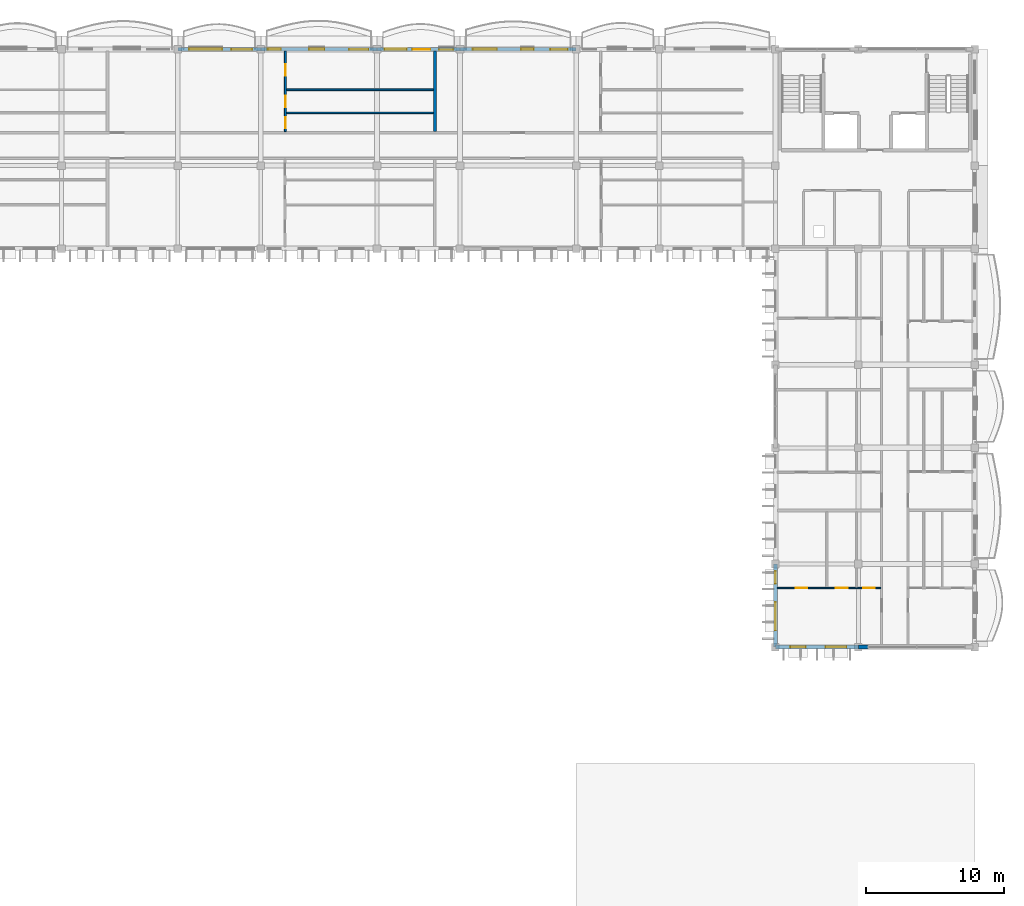
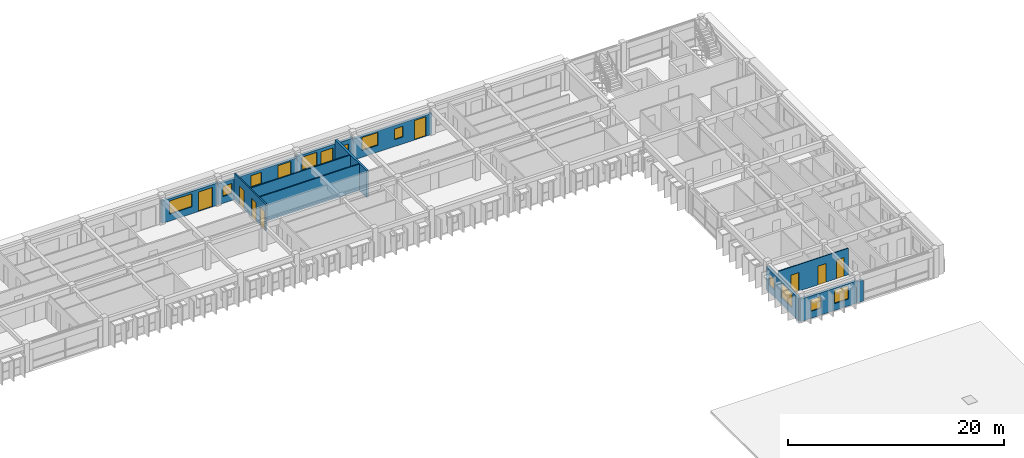
# One storey, part 32 of 54: 12 walls, 11 windows, 10 doors, 21 openings.
"""IFC4 building model written with IfcOpenShell, lengths in metres."""

from ifc_helpers import new_model, si_unit, direction, frame, frame_2d, origin, place, context, subcontext, project, spatial, rectangle, extrude, material, layer, layer_set, type_object, element, fill, save


model = new_model("IFC4")

# Units and contexts
model_context = context("Model", 3, precision=1e-05, world=origin(), true_north=direction((0.0, 1.0)))
body_context = subcontext(model_context, "Body", "Model", "MODEL_VIEW")
ifc_project = project(units=[si_unit("LENGTHUNIT", "METRE"), si_unit("AREAUNIT", "SQUARE_METRE"), si_unit("VOLUMEUNIT", "CUBIC_METRE"), si_unit("PLANEANGLEUNIT", "RADIAN"), si_unit("MASSUNIT", "GRAM", prefix="KILO"), si_unit("THERMODYNAMICTEMPERATUREUNIT", "KELVIN")], contexts=[model_context])

# Site, building, storey
site_placement = place(None, origin())
site = spatial("IfcSite", under=ifc_project, at=site_placement, CompositionType="ELEMENT")
building_placement = place(site_placement, origin())
building = spatial("IfcBuilding", under=site, at=building_placement, Name="Thalorik Housing Commons", CompositionType="ELEMENT")
storey_placement = place(building_placement, frame((0.0, 0.0, 31.199951171875)))
storey = spatial("IfcBuildingStorey", under=building, at=storey_placement, Name="L09", CompositionType="ELEMENT", Elevation=31.199951171875)

# Wall, openings, door, windows
ifc_material_1 = material(Name="White precast concrete C40/50", Category="concrete")
ifc_layer_1 = layer(ifc_material_1, 0.264892578125, Name="White precast concrete C40/50", Category="concrete")
ifc_layer_set_1 = layer_set([ifc_layer_1], Name="White precast concrete C40/50")
wall_type_1 = type_object("IfcWallType", Name="ARC-WAL-EXT-265", PredefinedType="STANDARD", material=ifc_layer_set_1)
wall_1_placement = place(storey_placement, frame((138.0, 123.60009765625, 0.0), z_axis=(0.0, 0.0, 1.0), x_axis=(-1.0, 0.0, 0.0)))
wall_1 = element("IfcWall", 1, at=wall_1_placement, inside=storey, type_object=wall_type_1, Name="L09 Exterior Wall WAL-EXT-L09-B-0713", PredefinedType="STANDARD", context=body_context, shape_type="SweptSolid", body=[
    extrude(rectangle(XDim=8.39990234375, YDim=0.264892578125, at=frame_2d((4.199951171875, 0.0))), origin(), (0.0, 0.0, 1.0), 2.375),
])
opening_1_placement = place(wall_1_placement, frame((0.6201171875, 0.0, 0.0)))
opening_1 = element("IfcOpeningElement", 2, at=opening_1_placement, cuts=wall_1, Name="Opening ED-0238", PredefinedType="OPENING", context=body_context, shape_type="SweptSolid", body=[
    extrude(rectangle(XDim=1.25, YDim=2.199951171875, at=frame_2d((0.625, 1.10009765625))), frame((0.0, 0.142578125, 0.0), z_axis=(0.0, -1.0, 0.0), x_axis=(1.0, 0.0, 0.0)), (0.0, 0.0, 1.0), 0.284912109375),
])
opening_2_placement = place(wall_1_placement, frame((3.077392578125, 0.0, 0.780029296875)))
opening_2 = element("IfcOpeningElement", 3, at=opening_2_placement, cuts=wall_1, Name="Opening W-01", PredefinedType="OPENING", context=body_context, shape_type="SweptSolid", body=[
    extrude(rectangle(XDim=0.89990234375, YDim=1.199951171875, at=frame_2d((0.449951171875, 0.60009765625))), frame((0.0, 0.142578125, 0.0), z_axis=(0.0, -1.0, 0.0), x_axis=(1.0, 0.0, 0.0)), (0.0, 0.0, 1.0), 0.284912109375),
])
opening_3_placement = place(wall_1_placement, frame((5.7275390625, 0.0, 0.780029296875)))
opening_3 = element("IfcOpeningElement", 4, at=opening_3_placement, cuts=wall_1, Name="Opening W-17", PredefinedType="OPENING", context=body_context, shape_type="SweptSolid", body=[
    extrude(rectangle(XDim=1.75, YDim=1.449951171875, at=frame_2d((0.875, 0.72509765625))), frame((0.0, 0.142578125, 0.0), z_axis=(0.0, -1.0, 0.0), x_axis=(1.0, 0.0, 0.0)), (0.0, 0.0, 1.0), 0.284912109375),
])
ifc_material_2 = material(Name="Anodised aluminium and laminated safety glass", Category="aluminium")
door_type_1 = type_object("IfcDoorType", Name="ARC-DR-BAL-1250", OperationType="NOTDEFINED", PredefinedType="DOOR", material=ifc_material_2)
door_1_placement = place(opening_1_placement, frame((1.25, 0.0, 0.0), z_axis=(0.0, 0.0, 1.0), x_axis=(-1.0, 0.0, 0.0)))
door_1 = element("IfcDoor", 5, at=door_1_placement, inside=storey, type_object=door_type_1, Name="L09 Block B Balcony Glazed Door", OperationType="SINGLE_SWING_LEFT", OverallHeight=2.199951171875, OverallWidth=1.25, PredefinedType="DOOR", context=body_context, shape_type="SweptSolid", body=[
    extrude(rectangle(XDim=1.25, YDim=2.199951171875, at=frame_2d((0.625, 1.10009765625))), frame((0.0, 0.02490234375, 0.0), z_axis=(0.0, -1.0, 0.0), x_axis=(1.0, 0.0, 0.0)), (0.0, 0.0, 1.0), 0.050048828125),
])
fill(opening_1, door_1)
ifc_material_3 = material(Name="Anodised aluminium and solar-control low-E glass", Category="aluminium")
window_type_1 = type_object("IfcWindowType", Name="ARC-WIN-01", PartitioningType="SINGLE_PANEL", PredefinedType="WINDOW", material=ifc_material_3)
window_1_placement = place(opening_2_placement, origin())
window_1 = element("IfcWindow", 6, at=window_1_placement, inside=storey, type_object=window_type_1, Name="L09 Facade Window 1309", OverallHeight=1.199951171875, OverallWidth=0.89990234375, PartitioningType="SINGLE_PANEL", PredefinedType="WINDOW", context=body_context, shape_type="SweptSolid", body=[
    extrude(rectangle(XDim=0.89990234375, YDim=1.199951171875, at=frame_2d((0.449951171875, 0.60009765625))), frame((0.0, 0.030029296875, 0.0), z_axis=(0.0, -1.0, 0.0), x_axis=(1.0, 0.0, 0.0)), (0.0, 0.0, 1.0), 0.06005859375),
])
fill(opening_2, window_1)
window_type_2 = type_object("IfcWindowType", Name="ARC-WIN-17", PartitioningType="DOUBLE_PANEL_VERTICAL", PredefinedType="WINDOW", material=ifc_material_3)
window_2_placement = place(opening_3_placement, origin())
window_2 = element("IfcWindow", 7, at=window_2_placement, inside=storey, type_object=window_type_2, Name="L09 Facade Window 1310", OverallHeight=1.449951171875, OverallWidth=1.75, PartitioningType="DOUBLE_PANEL_VERTICAL", PredefinedType="WINDOW", context=body_context, shape_type="SweptSolid", body=[
    extrude(rectangle(XDim=1.75, YDim=1.449951171875, at=frame_2d((0.875, 0.72509765625))), frame((0.0, 0.030029296875, 0.0), z_axis=(0.0, -1.0, 0.0), x_axis=(1.0, 0.0, 0.0)), (0.0, 0.0, 1.0), 0.06005859375),
])
fill(opening_3, window_2)

wall_2_placement = place(storey_placement, frame((129.60009765625, 123.60009765625, 0.0), z_axis=(0.0, 0.0, 1.0), x_axis=(-1.0, 0.0, 0.0)))
wall_2 = element("IfcWall", 8, at=wall_2_placement, inside=storey, type_object=wall_type_1, Name="L09 Exterior Wall WAL-EXT-L09-B-0714", PredefinedType="STANDARD", context=body_context, shape_type="SweptSolid", body=[
    extrude(rectangle(XDim=6.0, YDim=0.264892578125, at=frame_2d((3.0, 0.0))), origin(), (0.0, 0.0, 1.0), 2.525146484375),
])
opening_4_placement = place(wall_2_placement, frame((2.14990234375, 0.0, 0.0)))
opening_4 = element("IfcOpeningElement", 9, at=opening_4_placement, cuts=wall_2, Name="Opening ED-0239", PredefinedType="OPENING", context=body_context, shape_type="SweptSolid", body=[
    extrude(rectangle(XDim=1.300048828125, YDim=2.14990234375, at=frame_2d((0.64990234375, 1.074951171875))), frame((0.0, 0.142578125, 0.0), z_axis=(0.0, -1.0, 0.0), x_axis=(1.0, 0.0, 0.0)), (0.0, 0.0, 1.0), 0.284912109375),
])
opening_5_placement = place(wall_2_placement, frame((0.5048828125, 0.0, 0.780029296875)))
opening_5 = element("IfcOpeningElement", 10, at=opening_5_placement, cuts=wall_2, Name="Opening W-02", PredefinedType="OPENING", context=body_context, shape_type="SweptSolid", body=[
    extrude(rectangle(XDim=1.0, YDim=1.25, at=frame_2d((0.5, 0.625))), frame((0.0, 0.142578125, 0.0), z_axis=(0.0, -1.0, 0.0), x_axis=(1.0, 0.0, 0.0)), (0.0, 0.0, 1.0), 0.284912109375),
])
opening_6_placement = place(wall_2_placement, frame((3.864990234375, 0.0, 0.780029296875)))
opening_6 = element("IfcOpeningElement", 11, at=opening_6_placement, cuts=wall_2, Name="Opening W-53", PredefinedType="OPENING", context=body_context, shape_type="SweptSolid", body=[
    extrude(rectangle(XDim=1.580078125, YDim=1.47998046875, at=frame_2d((0.7900390625, 0.739990234375))), frame((0.0, 0.142578125, 0.0), z_axis=(0.0, -1.0, 0.0), x_axis=(1.0, 0.0, 0.0)), (0.0, 0.0, 1.0), 0.284912109375),
])
door_type_2 = type_object("IfcDoorType", Name="ARC-DR-BAL-1300", OperationType="NOTDEFINED", PredefinedType="DOOR", material=ifc_material_2)
door_2_placement = place(opening_4_placement, frame((1.300048828125, 0.0, 0.0), z_axis=(0.0, 0.0, 1.0), x_axis=(-1.0, 0.0, 0.0)))
door_2 = element("IfcDoor", 12, at=door_2_placement, inside=storey, type_object=door_type_2, Name="L09 Block B Balcony Glazed Door", OperationType="SINGLE_SWING_RIGHT", OverallHeight=2.14990234375, OverallWidth=1.300048828125, PredefinedType="DOOR", context=body_context, shape_type="SweptSolid", body=[
    extrude(rectangle(XDim=1.300048828125, YDim=2.14990234375, at=frame_2d((0.64990234375, 1.074951171875))), frame((0.0, 0.02490234375, 0.0), z_axis=(0.0, -1.0, 0.0), x_axis=(1.0, 0.0, 0.0)), (0.0, 0.0, 1.0), 0.050048828125),
])
fill(opening_4, door_2)
window_type_3 = type_object("IfcWindowType", Name="ARC-WIN-02", PartitioningType="SINGLE_PANEL", PredefinedType="WINDOW", material=ifc_material_3)
window_3_placement = place(opening_5_placement, origin())
window_3 = element("IfcWindow", 13, at=window_3_placement, inside=storey, type_object=window_type_3, Name="L09 Facade Window 1311", OverallHeight=1.25, OverallWidth=1.0, PartitioningType="SINGLE_PANEL", PredefinedType="WINDOW", context=body_context, shape_type="SweptSolid", body=[
    extrude(rectangle(XDim=1.0, YDim=1.25, at=frame_2d((0.5, 0.625))), frame((0.0, 0.030029296875, 0.0), z_axis=(0.0, -1.0, 0.0), x_axis=(1.0, 0.0, 0.0)), (0.0, 0.0, 1.0), 0.06005859375),
])
fill(opening_5, window_3)
window_type_4 = type_object("IfcWindowType", Name="ARC-WIN-53", PartitioningType="SINGLE_PANEL", PredefinedType="WINDOW", material=ifc_material_3)
window_4_placement = place(opening_6_placement, origin())
window_4 = element("IfcWindow", 14, at=window_4_placement, inside=storey, type_object=window_type_4, Name="L09 Facade Window 1312", OverallHeight=1.47998046875, OverallWidth=1.580078125, PartitioningType="SINGLE_PANEL", PredefinedType="WINDOW", context=body_context, shape_type="SweptSolid", body=[
    extrude(rectangle(XDim=1.580078125, YDim=1.47998046875, at=frame_2d((0.7900390625, 0.739990234375))), frame((0.0, 0.030029296875, 0.0), z_axis=(0.0, -1.0, 0.0), x_axis=(1.0, 0.0, 0.0)), (0.0, 0.0, 1.0), 0.06005859375),
])
fill(opening_6, window_4)

wall_3_placement = place(storey_placement, frame((123.60009765625, 123.60009765625, 0.0), z_axis=(0.0, 0.0, 1.0), x_axis=(-1.0, 0.0, 0.0)))
wall_3 = element("IfcWall", 15, at=wall_3_placement, inside=storey, type_object=wall_type_1, Name="L09 Exterior Wall WAL-EXT-L09-B-0715", PredefinedType="STANDARD", context=body_context, shape_type="SweptSolid", body=[
    extrude(rectangle(XDim=8.400146484375, YDim=0.264892578125, at=frame_2d((4.2001953125, 0.0))), origin(), (0.0, 0.0, 1.0), 2.375),
])
opening_7_placement = place(wall_3_placement, frame((0.6201171875, 0.0, 0.0)))
opening_7 = element("IfcOpeningElement", 16, at=opening_7_placement, cuts=wall_3, Name="Opening ED-0240", PredefinedType="OPENING", context=body_context, shape_type="SweptSolid", body=[
    extrude(rectangle(XDim=1.39990234375, YDim=2.199951171875, at=frame_2d((0.699951171875, 1.10009765625))), frame((0.0, 0.142578125, 0.0), z_axis=(0.0, -1.0, 0.0), x_axis=(1.0, 0.0, 0.0)), (0.0, 0.0, 1.0), 0.284912109375),
])
opening_8_placement = place(wall_3_placement, frame((3.796630859375, 0.0, 0.780029296875)))
opening_8 = element("IfcOpeningElement", 17, at=opening_8_placement, cuts=wall_3, Name="Opening W-03", PredefinedType="OPENING", context=body_context, shape_type="SweptSolid", body=[
    extrude(rectangle(XDim=1.10009765625, YDim=1.300048828125, at=frame_2d((0.550048828125, 0.64990234375))), frame((0.0, 0.142578125, 0.0), z_axis=(0.0, -1.0, 0.0), x_axis=(1.0, 0.0, 0.0)), (0.0, 0.0, 1.0), 0.284912109375),
])
opening_9_placement = place(wall_3_placement, frame((6.941650390625, 0.0, 0.780029296875)))
opening_9 = element("IfcOpeningElement", 18, at=opening_9_placement, cuts=wall_3, Name="Opening W-43", PredefinedType="OPENING", context=body_context, shape_type="SweptSolid", body=[
    extrude(rectangle(XDim=0.949951171875, YDim=1.14990234375, at=frame_2d((0.47509765625, 0.574951171875))), frame((0.0, 0.142578125, 0.0), z_axis=(0.0, -1.0, 0.0), x_axis=(1.0, 0.0, 0.0)), (0.0, 0.0, 1.0), 0.284912109375),
])
door_type_3 = type_object("IfcDoorType", Name="ARC-DR-BAL-1400", OperationType="NOTDEFINED", PredefinedType="DOOR", material=ifc_material_2)
door_3_placement = place(opening_7_placement, frame((1.39990234375, 0.0, 0.0), z_axis=(0.0, 0.0, 1.0), x_axis=(-1.0, 0.0, 0.0)))
door_3 = element("IfcDoor", 19, at=door_3_placement, inside=storey, type_object=door_type_3, Name="L09 Block B Balcony Glazed Door", OperationType="SLIDING_TO_LEFT", OverallHeight=2.199951171875, OverallWidth=1.39990234375, PredefinedType="DOOR", context=body_context, shape_type="SweptSolid", body=[
    extrude(rectangle(XDim=1.39990234375, YDim=2.199951171875, at=frame_2d((0.699951171875, 1.10009765625))), frame((0.0, 0.02490234375, 0.0), z_axis=(0.0, -1.0, 0.0), x_axis=(1.0, 0.0, 0.0)), (0.0, 0.0, 1.0), 0.050048828125),
])
fill(opening_7, door_3)
window_type_5 = type_object("IfcWindowType", Name="ARC-WIN-03", PartitioningType="SINGLE_PANEL", PredefinedType="WINDOW", material=ifc_material_3)
window_5_placement = place(opening_8_placement, origin())
window_5 = element("IfcWindow", 20, at=window_5_placement, inside=storey, type_object=window_type_5, Name="L09 Facade Window 1313", OverallHeight=1.300048828125, OverallWidth=1.10009765625, PartitioningType="SINGLE_PANEL", PredefinedType="WINDOW", context=body_context, shape_type="SweptSolid", body=[
    extrude(rectangle(XDim=1.10009765625, YDim=1.300048828125, at=frame_2d((0.550048828125, 0.64990234375))), frame((0.0, 0.030029296875, 0.0), z_axis=(0.0, -1.0, 0.0), x_axis=(1.0, 0.0, 0.0)), (0.0, 0.0, 1.0), 0.06005859375),
])
fill(opening_8, window_5)
window_type_6 = type_object("IfcWindowType", Name="ARC-WIN-43", PartitioningType="SINGLE_PANEL", PredefinedType="WINDOW", material=ifc_material_3)
window_6_placement = place(opening_9_placement, origin())
window_6 = element("IfcWindow", 21, at=window_6_placement, inside=storey, type_object=window_type_6, Name="L09 Facade Window 1314", OverallHeight=1.14990234375, OverallWidth=0.949951171875, PartitioningType="SINGLE_PANEL", PredefinedType="WINDOW", context=body_context, shape_type="SweptSolid", body=[
    extrude(rectangle(XDim=0.949951171875, YDim=1.14990234375, at=frame_2d((0.47509765625, 0.574951171875))), frame((0.0, 0.030029296875, 0.0), z_axis=(0.0, -1.0, 0.0), x_axis=(1.0, 0.0, 0.0)), (0.0, 0.0, 1.0), 0.06005859375),
])
fill(opening_9, window_6)

# Wall, openings, door, window
wall_4_placement = place(storey_placement, frame((115.199951171875, 123.60009765625, 0.0), z_axis=(0.0, 0.0, 1.0), x_axis=(-1.0, 0.0, 0.0)))
wall_4 = element("IfcWall", 22, at=wall_4_placement, inside=storey, type_object=wall_type_1, Name="L09 Exterior Wall WAL-EXT-L09-B-0716", PredefinedType="STANDARD", context=body_context, shape_type="SweptSolid", body=[
    extrude(rectangle(XDim=6.0, YDim=0.264892578125, at=frame_2d((3.0, 0.0))), origin(), (0.0, 0.0, 1.0), 2.525146484375),
])
opening_10_placement = place(wall_4_placement, frame((0.6201171875, 0.0, 0.0)))
opening_10 = element("IfcOpeningElement", 23, at=opening_10_placement, cuts=wall_4, Name="Opening ED-0241", PredefinedType="OPENING", context=body_context, shape_type="SweptSolid", body=[
    extrude(rectangle(XDim=1.5, YDim=2.199951171875, at=frame_2d((0.75, 1.10009765625))), frame((0.0, 0.142578125, 0.0), z_axis=(0.0, -1.0, 0.0), x_axis=(1.0, 0.0, 0.0)), (0.0, 0.0, 1.0), 0.284912109375),
])
opening_11_placement = place(wall_4_placement, frame((2.800048828125, 0.0, 0.780029296875)))
opening_11 = element("IfcOpeningElement", 24, at=opening_11_placement, cuts=wall_4, Name="Opening W-69", PredefinedType="OPENING", context=body_context, shape_type="SweptSolid", body=[
    extrude(rectangle(XDim=2.3798828125, YDim=1.47998046875, at=frame_2d((1.18994140625, 0.739990234375))), frame((0.0, 0.142578125, 0.0), z_axis=(0.0, -1.0, 0.0), x_axis=(1.0, 0.0, 0.0)), (0.0, 0.0, 1.0), 0.284912109375),
])
door_type_4 = type_object("IfcDoorType", Name="ARC-DR-BAL-1500", OperationType="NOTDEFINED", PredefinedType="DOOR", material=ifc_material_2)
door_4_placement = place(opening_10_placement, frame((1.5, 0.0, 0.0), z_axis=(0.0, 0.0, 1.0), x_axis=(-1.0, 0.0, 0.0)))
door_4 = element("IfcDoor", 25, at=door_4_placement, inside=storey, type_object=door_type_4, Name="L09 Block B Balcony Glazed Door", OperationType="SLIDING_TO_RIGHT", OverallHeight=2.199951171875, OverallWidth=1.5, PredefinedType="DOOR", context=body_context, shape_type="SweptSolid", body=[
    extrude(rectangle(XDim=1.5, YDim=2.199951171875, at=frame_2d((0.75, 1.10009765625))), frame((0.0, 0.02490234375, 0.0), z_axis=(0.0, -1.0, 0.0), x_axis=(1.0, 0.0, 0.0)), (0.0, 0.0, 1.0), 0.050048828125),
])
fill(opening_10, door_4)
window_type_7 = type_object("IfcWindowType", Name="ARC-WIN-69", PartitioningType="DOUBLE_PANEL_VERTICAL", PredefinedType="WINDOW", material=ifc_material_3)
window_7_placement = place(opening_11_placement, origin())
window_7 = element("IfcWindow", 26, at=window_7_placement, inside=storey, type_object=window_type_7, Name="L09 Facade Window 1315", OverallHeight=1.47998046875, OverallWidth=2.3798828125, PartitioningType="DOUBLE_PANEL_VERTICAL", PredefinedType="WINDOW", context=body_context, shape_type="SweptSolid", body=[
    extrude(rectangle(XDim=2.3798828125, YDim=1.47998046875, at=frame_2d((1.18994140625, 0.739990234375))), frame((0.0, 0.030029296875, 0.0), z_axis=(0.0, -1.0, 0.0), x_axis=(1.0, 0.0, 0.0)), (0.0, 0.0, 1.0), 0.06005859375),
])
fill(opening_11, window_7)

# Wall, openings, windows
wall_5_placement = place(storey_placement, frame((152.39990234375, 86.39990234375, 0.0), z_axis=(0.0, 0.0, 1.0), x_axis=(0.0, -1.0, 0.0)))
wall_5 = element("IfcWall", 27, at=wall_5_placement, inside=storey, type_object=wall_type_1, Name="L09 Exterior Wall WAL-EXT-L09-B-0736", PredefinedType="STANDARD", context=body_context, shape_type="SweptSolid", body=[
    extrude(rectangle(XDim=6.0, YDim=0.264892578125, at=frame_2d((3.0, 0.0))), origin(), (0.0, 0.0, 1.0), 2.574951171875),
])
opening_12_placement = place(wall_5_placement, frame((0.510009765625, 0.0, 0.780029296875)))
opening_12 = element("IfcOpeningElement", 28, at=opening_12_placement, cuts=wall_5, Name="Opening W-01", PredefinedType="OPENING", context=body_context, shape_type="SweptSolid", body=[
    extrude(rectangle(XDim=0.89990234375, YDim=1.199951171875, at=frame_2d((0.449951171875, 0.60009765625))), frame((0.0, 0.142578125, 0.0), z_axis=(0.0, -1.0, 0.0), x_axis=(1.0, 0.0, 0.0)), (0.0, 0.0, 1.0), 0.284912109375),
])
opening_13_placement = place(wall_5_placement, frame((2.7451171875, 0.0, 0.780029296875)))
opening_13 = element("IfcOpeningElement", 29, at=opening_13_placement, cuts=wall_5, Name="Opening W-25", PredefinedType="OPENING", context=body_context, shape_type="SweptSolid", body=[
    extrude(rectangle(XDim=2.050048828125, YDim=1.60009765625, at=frame_2d((1.02490234375, 0.800048828125))), frame((0.0, 0.142578125, 0.0), z_axis=(0.0, -1.0, 0.0), x_axis=(1.0, 0.0, 0.0)), (0.0, 0.0, 1.0), 0.284912109375),
])
window_8_placement = place(opening_12_placement, origin())
window_8 = element("IfcWindow", 30, at=window_8_placement, inside=storey, type_object=window_type_1, Name="L09 Facade Window 1352", OverallHeight=1.199951171875, OverallWidth=0.89990234375, PartitioningType="SINGLE_PANEL", PredefinedType="WINDOW", context=body_context, shape_type="SweptSolid", body=[
    extrude(rectangle(XDim=0.89990234375, YDim=1.199951171875, at=frame_2d((0.449951171875, 0.60009765625))), frame((0.0, 0.030029296875, 0.0), z_axis=(0.0, -1.0, 0.0), x_axis=(1.0, 0.0, 0.0)), (0.0, 0.0, 1.0), 0.06005859375),
])
fill(opening_12, window_8)
window_type_8 = type_object("IfcWindowType", Name="ARC-WIN-25", PartitioningType="DOUBLE_PANEL_VERTICAL", PredefinedType="WINDOW", material=ifc_material_3)
window_9_placement = place(opening_13_placement, origin())
window_9 = element("IfcWindow", 31, at=window_9_placement, inside=storey, type_object=window_type_8, Name="L09 Facade Window 1353", OverallHeight=1.60009765625, OverallWidth=2.050048828125, PartitioningType="DOUBLE_PANEL_VERTICAL", PredefinedType="WINDOW", context=body_context, shape_type="SweptSolid", body=[
    extrude(rectangle(XDim=2.050048828125, YDim=1.60009765625, at=frame_2d((1.02490234375, 0.800048828125))), frame((0.0, 0.030029296875, 0.0), z_axis=(0.0, -1.0, 0.0), x_axis=(1.0, 0.0, 0.0)), (0.0, 0.0, 1.0), 0.06005859375),
])
fill(opening_13, window_9)

wall_6_placement = place(storey_placement, frame((152.39990234375, 80.39990234375, 0.0), z_axis=(0.0, 0.0, 1.0), x_axis=(1.0, 0.0, 0.0)))
wall_6 = element("IfcWall", 32, at=wall_6_placement, inside=storey, type_object=wall_type_1, Name="L09 Exterior Wall WAL-EXT-L09-B-0737", PredefinedType="STANDARD", context=body_context, shape_type="SweptSolid", body=[
    extrude(rectangle(XDim=6.0, YDim=0.264892578125, at=frame_2d((3.0, 0.0))), origin(), (0.0, 0.0, 1.0), 2.525146484375),
])
opening_14_placement = place(wall_6_placement, frame((1.080078125, 0.0, 0.780029296875)))
opening_14 = element("IfcOpeningElement", 33, at=opening_14_placement, cuts=wall_6, Name="Opening W-03", PredefinedType="OPENING", context=body_context, shape_type="SweptSolid", body=[
    extrude(rectangle(XDim=1.10009765625, YDim=1.300048828125, at=frame_2d((0.550048828125, 0.64990234375))), frame((0.0, 0.142578125, 0.0), z_axis=(0.0, -1.0, 0.0), x_axis=(1.0, 0.0, 0.0)), (0.0, 0.0, 1.0), 0.284912109375),
])
opening_15_placement = place(wall_6_placement, frame((3.6201171875, 0.0, 0.780029296875)))
opening_15 = element("IfcOpeningElement", 34, at=opening_15_placement, cuts=wall_6, Name="Opening W-10", PredefinedType="OPENING", context=body_context, shape_type="SweptSolid", body=[
    extrude(rectangle(XDim=1.5, YDim=1.5, at=frame_2d((0.75, 0.75))), frame((0.0, 0.142578125, 0.0), z_axis=(0.0, -1.0, 0.0), x_axis=(1.0, 0.0, 0.0)), (0.0, 0.0, 1.0), 0.284912109375),
])
window_10_placement = place(opening_14_placement, origin())
window_10 = element("IfcWindow", 35, at=window_10_placement, inside=storey, type_object=window_type_5, Name="L09 Facade Window 1354", OverallHeight=1.300048828125, OverallWidth=1.10009765625, PartitioningType="SINGLE_PANEL", PredefinedType="WINDOW", context=body_context, shape_type="SweptSolid", body=[
    extrude(rectangle(XDim=1.10009765625, YDim=1.300048828125, at=frame_2d((0.550048828125, 0.64990234375))), frame((0.0, 0.030029296875, 0.0), z_axis=(0.0, -1.0, 0.0), x_axis=(1.0, 0.0, 0.0)), (0.0, 0.0, 1.0), 0.06005859375),
])
fill(opening_14, window_10)
window_type_9 = type_object("IfcWindowType", Name="ARC-WIN-10", PartitioningType="SINGLE_PANEL", PredefinedType="WINDOW", material=ifc_material_3)
window_11_placement = place(opening_15_placement, origin())
window_11 = element("IfcWindow", 36, at=window_11_placement, inside=storey, type_object=window_type_9, Name="L09 Facade Window 1355", OverallHeight=1.5, OverallWidth=1.5, PartitioningType="SINGLE_PANEL", PredefinedType="WINDOW", context=body_context, shape_type="SweptSolid", body=[
    extrude(rectangle(XDim=1.5, YDim=1.5, at=frame_2d((0.75, 0.75))), frame((0.0, 0.030029296875, 0.0), z_axis=(0.0, -1.0, 0.0), x_axis=(1.0, 0.0, 0.0)), (0.0, 0.0, 1.0), 0.06005859375),
])
fill(opening_15, window_11)

# Wall
wall_7_placement = place(storey_placement, frame((158.39990234375, 80.39990234375, 0.0), z_axis=(0.0, 0.0, 1.0), x_axis=(1.0, 0.0, 0.0)))
element("IfcWall", 37, at=wall_7_placement, inside=storey, type_object=wall_type_1, Name="L09 Exterior Wall WAL-PIERL-L09-B-0738", PredefinedType="STANDARD", context=body_context, shape_type="SweptSolid", body=[
    extrude(rectangle(XDim=0.7001953125, YDim=0.264892578125, at=frame_2d((0.35009765625, 0.0))), origin(), (0.0, 0.0, 1.0), 2.375),
])

# Wall, openings, doors
ifc_material_4 = material(Name="Gypsum light stud partition", Category="masonry")
ifc_layer_2 = layer(ifc_material_4, 0.10009765625, Name="Gypsum light stud partition", Category="masonry")
ifc_layer_set_2 = layer_set([ifc_layer_2], Name="Gypsum light stud partition")
wall_type_2 = type_object("IfcWallType", Name="ARC-WAL-PART-100", PredefinedType="PARTITIONING", material=ifc_layer_set_2)
wall_8_placement = place(storey_placement, frame((152.534423828125, 84.669921875, 0.0), z_axis=(0.0, 0.0, 1.0), x_axis=(1.0, 0.0, 0.0)))
wall_8 = element("IfcWall", 38, at=wall_8_placement, inside=storey, type_object=wall_type_2, Name="L09 Unit 1 Spine Partition", PredefinedType="PARTITIONING", context=body_context, shape_type="SweptSolid", body=[
    extrude(rectangle(XDim=7.468505859375, YDim=0.10009765625, at=frame_2d((3.734375, 0.0))), origin(), (0.0, 0.0, 1.0), 3.0),
])
opening_16_placement = place(wall_8_placement, frame((1.329345703125, 0.0, 0.0)))
opening_16 = element("IfcOpeningElement", 39, at=opening_16_placement, cuts=wall_8, Name="Opening ID-1406", PredefinedType="OPENING", context=body_context, shape_type="SweptSolid", body=[
    extrude(rectangle(XDim=0.85009765625, YDim=2.10009765625, at=frame_2d((0.425048828125, 1.050048828125))), frame((0.0, 0.06005859375, 0.0), z_axis=(0.0, -1.0, 0.0), x_axis=(1.0, 0.0, 0.0)), (0.0, 0.0, 1.0), 0.1201171875),
])
opening_17_placement = place(wall_8_placement, frame((4.224853515625, 0.0, 0.0)))
opening_17 = element("IfcOpeningElement", 40, at=opening_17_placement, cuts=wall_8, Name="Opening ID-1407", PredefinedType="OPENING", context=body_context, shape_type="SweptSolid", body=[
    extrude(rectangle(XDim=0.85009765625, YDim=2.10009765625, at=frame_2d((0.425048828125, 1.050048828125))), frame((0.0, 0.06005859375, 0.0), z_axis=(0.0, -1.0, 0.0), x_axis=(1.0, 0.0, 0.0)), (0.0, 0.0, 1.0), 0.1201171875),
])
opening_18_placement = place(wall_8_placement, frame((6.231201171875, 0.0, 0.0)))
opening_18 = element("IfcOpeningElement", 41, at=opening_18_placement, cuts=wall_8, Name="Opening ID-1408", PredefinedType="OPENING", context=body_context, shape_type="SweptSolid", body=[
    extrude(rectangle(XDim=0.800048828125, YDim=2.10009765625, at=frame_2d((0.39990234375, 1.050048828125))), frame((0.0, 0.06005859375, 0.0), z_axis=(0.0, -1.0, 0.0), x_axis=(1.0, 0.0, 0.0)), (0.0, 0.0, 1.0), 0.1201171875),
])
ifc_material_5 = material(Name="Moisture-resistant timber", Category="wood")
door_type_5 = type_object("IfcDoorType", Name="ARC-DR-INT-800", OperationType="NOTDEFINED", PredefinedType="DOOR", material=ifc_material_5)
door_5_placement = place(opening_18_placement, origin())
door_5 = element("IfcDoor", 42, at=door_5_placement, inside=storey, type_object=door_type_5, Name="L09 Accessible Bathroom Door", OperationType="SINGLE_SWING_LEFT", OverallHeight=2.10009765625, OverallWidth=0.800048828125, PredefinedType="DOOR", context=body_context, shape_type="SweptSolid", body=[
    extrude(rectangle(XDim=0.800048828125, YDim=2.10009765625, at=frame_2d((0.39990234375, 1.050048828125))), frame((0.0, 0.02490234375, 0.0), z_axis=(0.0, -1.0, 0.0), x_axis=(1.0, 0.0, 0.0)), (0.0, 0.0, 1.0), 0.050048828125),
])
fill(opening_18, door_5)
ifc_material_6 = material(Name="Engineered oak timber", Category="wood")
door_type_6 = type_object("IfcDoorType", Name="ARC-DR-INT-850", OperationType="NOTDEFINED", PredefinedType="DOOR", material=ifc_material_6)
door_6_placement = place(opening_16_placement, origin())
door_6 = element("IfcDoor", 43, at=door_6_placement, inside=storey, type_object=door_type_6, Name="L09 Double Bedroom Door", OperationType="SINGLE_SWING_LEFT", OverallHeight=2.10009765625, OverallWidth=0.85009765625, PredefinedType="DOOR", context=body_context, shape_type="SweptSolid", body=[
    extrude(rectangle(XDim=0.85009765625, YDim=2.10009765625, at=frame_2d((0.425048828125, 1.050048828125))), frame((0.0, 0.02490234375, 0.0), z_axis=(0.0, -1.0, 0.0), x_axis=(1.0, 0.0, 0.0)), (0.0, 0.0, 1.0), 0.050048828125),
])
fill(opening_16, door_6)
door_7_placement = place(opening_17_placement, origin())
door_7 = element("IfcDoor", 44, at=door_7_placement, inside=storey, type_object=door_type_6, Name="L09 Eat-In Kitchen Door", OperationType="SINGLE_SWING_RIGHT", OverallHeight=2.10009765625, OverallWidth=0.85009765625, PredefinedType="DOOR", context=body_context, shape_type="SweptSolid", body=[
    extrude(rectangle(XDim=0.85009765625, YDim=2.10009765625, at=frame_2d((0.425048828125, 1.050048828125))), frame((0.0, 0.02490234375, 0.0), z_axis=(0.0, -1.0, 0.0), x_axis=(1.0, 0.0, 0.0)), (0.0, 0.0, 1.0), 0.050048828125),
])
fill(opening_17, door_7)

# Walls
ifc_material_7 = material(Name="Gypsum moisture-resistant partition", Category="masonry")
ifc_layer_3 = layer(ifc_material_7, 0.114990234375, Name="Gypsum moisture-resistant partition", Category="masonry")
ifc_layer_set_3 = layer_set([ifc_layer_3], Name="Gypsum moisture-resistant partition")
wall_type_3 = type_object("IfcWallType", Name="ARC-WAL-PART-115", PredefinedType="PARTITIONING", material=ifc_layer_set_3)
wall_9_placement = place(storey_placement, frame((117.048828125, 119.010498046875, 0.0), z_axis=(0.0, 0.0, 1.0), x_axis=(1.0, 0.0, 0.0)))
element("IfcWall", 45, at=wall_9_placement, inside=storey, type_object=wall_type_3, Name="L09 Unit 2B Wet Wall", PredefinedType="PARTITIONING", context=body_context, shape_type="SweptSolid", body=[
    extrude(rectangle(XDim=10.619140625, YDim=0.114990234375, at=frame_2d((5.3095703125, 0.0))), origin(), (0.0, 0.0, 1.0), 3.0),
])
ifc_material_8 = material(Name="Gypsum acoustic stud partition", Category="masonry")
ifc_layer_4 = layer(ifc_material_8, 0.125, Name="Gypsum acoustic stud partition", Category="masonry")
ifc_layer_set_4 = layer_set([ifc_layer_4], Name="Gypsum acoustic stud partition")
wall_type_4 = type_object("IfcWallType", Name="ARC-WAL-PART-125", PredefinedType="PARTITIONING", material=ifc_layer_set_4)
wall_10_placement = place(storey_placement, frame((117.048828125, 120.67919921875, 0.0), z_axis=(0.0, 0.0, 1.0), x_axis=(1.0, 0.0, 0.0)))
element("IfcWall", 46, at=wall_10_placement, inside=storey, type_object=wall_type_4, Name="L09 Unit 2B Bedroom Partition", PredefinedType="PARTITIONING", context=body_context, shape_type="SweptSolid", body=[
    extrude(rectangle(XDim=10.619140625, YDim=0.125, at=frame_2d((5.3095703125, 0.0))), origin(), (0.0, 0.0, 1.0), 3.0),
])

# Wall, openings, doors
ifc_material_9 = material(Name="Ceramic masonry partition wall", Category="masonry")
ifc_layer_5 = layer(ifc_material_9, 0.139892578125, Name="Ceramic masonry partition wall", Category="masonry")
ifc_layer_set_5 = layer_set([ifc_layer_5], Name="Ceramic masonry partition wall")
wall_type_5 = type_object("IfcWallType", Name="ARC-WAL-PART-140", PredefinedType="PARTITIONING", material=ifc_layer_set_5)
wall_11_placement = place(storey_placement, frame((116.976806640625, 117.66455078125, 0.0), z_axis=(0.0, 0.0, 1.0), x_axis=(0.0, 1.0, 0.0)))
wall_11 = element("IfcWall", 47, at=wall_11_placement, inside=storey, type_object=wall_type_5, Name="L09 Unit 2B Spine Partition", PredefinedType="PARTITIONING", context=body_context, shape_type="SweptSolid", body=[
    extrude(rectangle(XDim=5.801025390625, YDim=0.139892578125, at=frame_2d((2.900390625, 0.0))), origin(), (0.0, 0.0, 1.0), 3.0),
])
opening_19_placement = place(wall_11_placement, frame((0.230712890625, 0.0, 0.0)))
opening_19 = element("IfcOpeningElement", 48, at=opening_19_placement, cuts=wall_11, Name="Opening ID-1391", PredefinedType="OPENING", context=body_context, shape_type="SweptSolid", body=[
    extrude(rectangle(XDim=0.800048828125, YDim=2.10009765625, at=frame_2d((0.39990234375, 1.050048828125))), frame((0.0, 0.080078125, 0.0), z_axis=(0.0, -1.0, 0.0), x_axis=(1.0, 0.0, 0.0)), (0.0, 0.0, 1.0), 0.159912109375),
])
opening_20_placement = place(wall_11_placement, frame((1.75537109375, 0.0, 0.0)))
opening_20 = element("IfcOpeningElement", 49, at=opening_20_placement, cuts=wall_11, Name="Opening ID-1392", PredefinedType="OPENING", context=body_context, shape_type="SweptSolid", body=[
    extrude(rectangle(XDim=0.820068359375, YDim=2.080078125, at=frame_2d((0.41015625, 1.0400390625))), frame((0.0, 0.080078125, 0.0), z_axis=(0.0, -1.0, 0.0), x_axis=(1.0, 0.0, 0.0)), (0.0, 0.0, 1.0), 0.159912109375),
])
opening_21_placement = place(wall_11_placement, frame((4.02001953125, 0.0, 0.0)))
opening_21 = element("IfcOpeningElement", 50, at=opening_21_placement, cuts=wall_11, Name="Opening ID-1393", PredefinedType="OPENING", context=body_context, shape_type="SweptSolid", body=[
    extrude(rectangle(XDim=0.85009765625, YDim=2.10009765625, at=frame_2d((0.425048828125, 1.050048828125))), frame((0.0, 0.080078125, 0.0), z_axis=(0.0, -1.0, 0.0), x_axis=(1.0, 0.0, 0.0)), (0.0, 0.0, 1.0), 0.159912109375),
])
door_8_placement = place(opening_19_placement, origin())
door_8 = element("IfcDoor", 51, at=door_8_placement, inside=storey, type_object=door_type_5, Name="L09 Accessible Bathroom Door", OperationType="SINGLE_SWING_RIGHT", OverallHeight=2.10009765625, OverallWidth=0.800048828125, PredefinedType="DOOR", context=body_context, shape_type="SweptSolid", body=[
    extrude(rectangle(XDim=0.800048828125, YDim=2.10009765625, at=frame_2d((0.39990234375, 1.050048828125))), frame((0.0, 0.02490234375, 0.0), z_axis=(0.0, -1.0, 0.0), x_axis=(1.0, 0.0, 0.0)), (0.0, 0.0, 1.0), 0.050048828125),
])
fill(opening_19, door_8)
door_type_7 = type_object("IfcDoorType", Name="ARC-DR-INT-820", OperationType="NOTDEFINED", PredefinedType="DOOR", material=ifc_material_6)
door_9_placement = place(opening_20_placement, origin())
door_9 = element("IfcDoor", 52, at=door_9_placement, inside=storey, type_object=door_type_7, Name="L09 Eat-In Kitchen Door", OperationType="SINGLE_SWING_LEFT", OverallHeight=2.080078125, OverallWidth=0.820068359375, PredefinedType="DOOR", context=body_context, shape_type="SweptSolid", body=[
    extrude(rectangle(XDim=0.820068359375, YDim=2.080078125, at=frame_2d((0.41015625, 1.0400390625))), frame((0.0, 0.02490234375, 0.0), z_axis=(0.0, -1.0, 0.0), x_axis=(1.0, 0.0, 0.0)), (0.0, 0.0, 1.0), 0.050048828125),
])
fill(opening_20, door_9)
door_10_placement = place(opening_21_placement, origin())
door_10 = element("IfcDoor", 53, at=door_10_placement, inside=storey, type_object=door_type_6, Name="L09 Double Bedroom Door", OperationType="SINGLE_SWING_RIGHT", OverallHeight=2.10009765625, OverallWidth=0.85009765625, PredefinedType="DOOR", context=body_context, shape_type="SweptSolid", body=[
    extrude(rectangle(XDim=0.85009765625, YDim=2.10009765625, at=frame_2d((0.425048828125, 1.050048828125))), frame((0.0, 0.02490234375, 0.0), z_axis=(0.0, -1.0, 0.0), x_axis=(1.0, 0.0, 0.0)), (0.0, 0.0, 1.0), 0.050048828125),
])
fill(opening_21, door_10)

# Wall
ifc_material_10 = material(Name="Precast concrete C40/50 acoustic wall", Category="concrete")
ifc_layer_6 = layer(ifc_material_10, 0.219970703125, Name="Precast concrete C40/50 acoustic wall", Category="concrete")
ifc_layer_set_6 = layer_set([ifc_layer_6], Name="Precast concrete C40/50 acoustic wall")
wall_type_6 = type_object("IfcWallType", Name="ARC-WAL-PARTY-220", PredefinedType="PARTITIONING", material=ifc_layer_set_6)
wall_12_placement = place(storey_placement, frame((127.780029296875, 117.66455078125, 0.0), z_axis=(0.0, 0.0, 1.0), x_axis=(0.0, 1.0, 0.0)))
element("IfcWall", 54, at=wall_12_placement, inside=storey, type_object=wall_type_6, Name="L09 Inter-Tenancy Wall 2B", PredefinedType="PARTITIONING", context=body_context, shape_type="SweptSolid", body=[
    extrude(rectangle(XDim=5.801025390625, YDim=0.219970703125, at=frame_2d((2.900390625, 0.0))), origin(), (0.0, 0.0, 1.0), 3.0),
])

save(model, "model.ifc")
